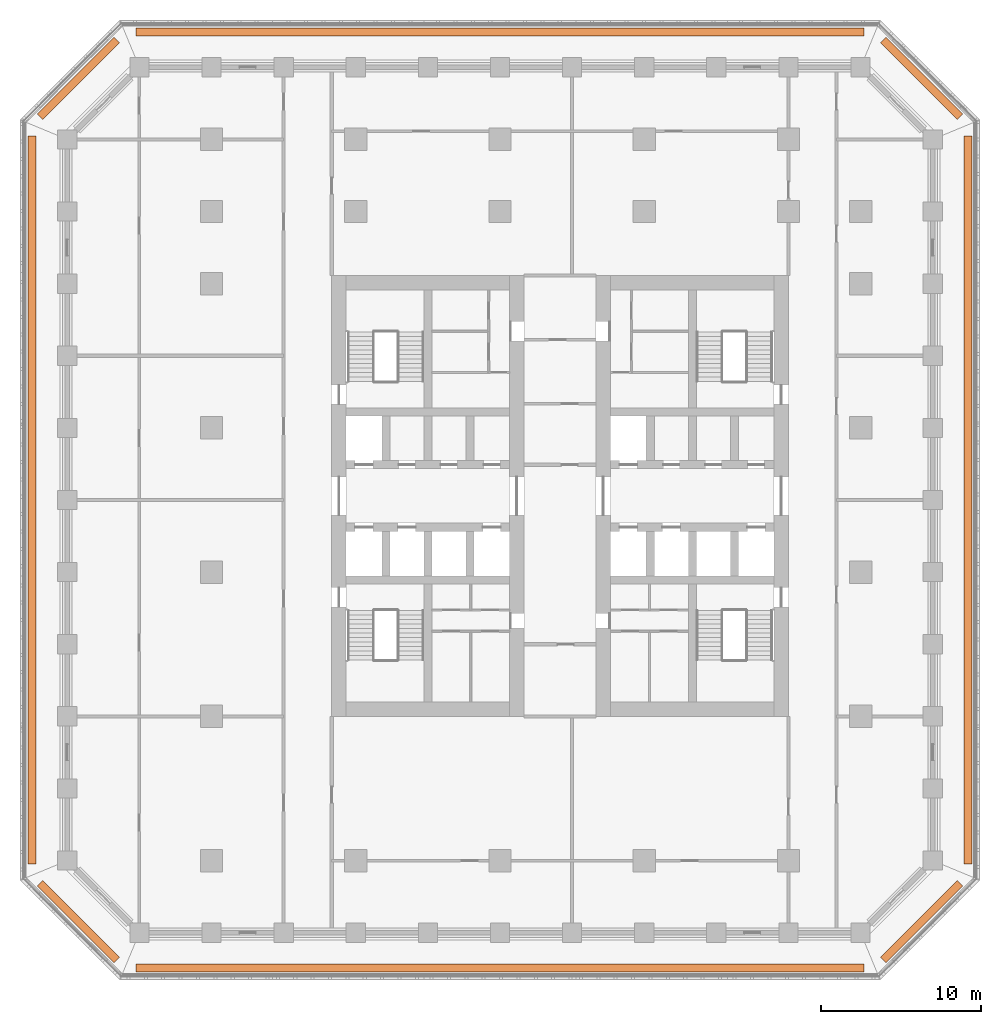
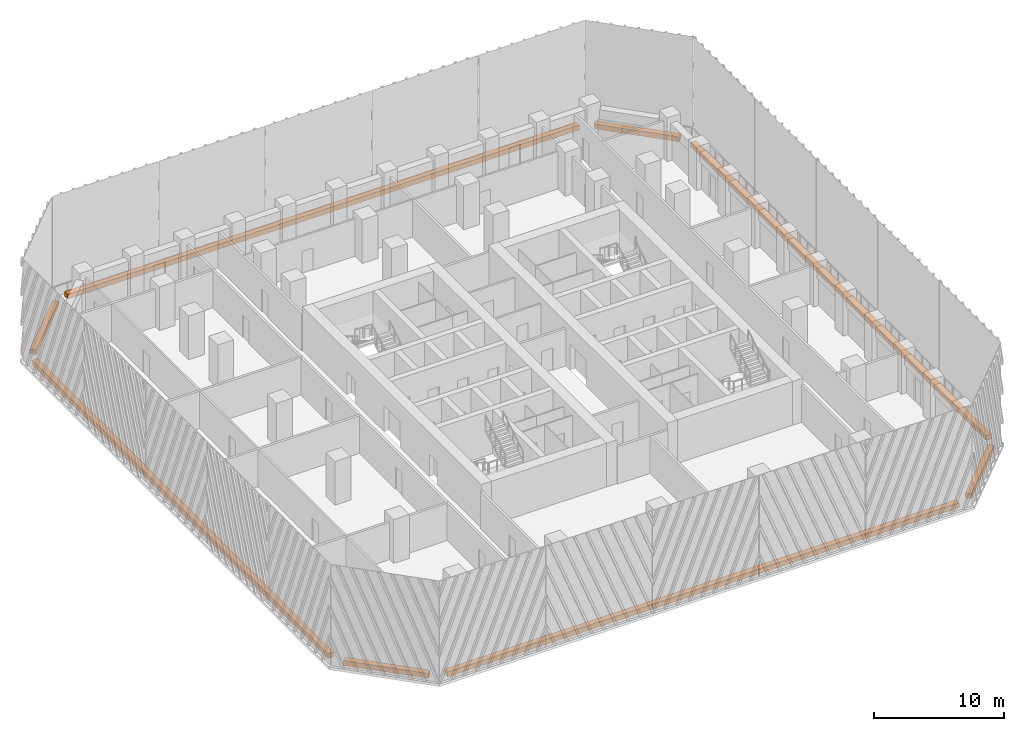
# One storey, part 17 of 17: 8 proxies.
"""IFC4 building model written with IfcOpenShell, lengths in metres."""

import ifcopenshell
import ifcopenshell.guid

model = None  # the IFC model being written
_history = None  # IfcOwnerHistory: only IFC2X3 demands one
_inside = {}  # id of a spatial element -> (the spatial element, [elements in it])
_under = {}  # id of a project, library or spatial element -> (it, [spatial elements below it])
_declared = {}  # id of a project -> (the project, [libraries it declares])
_typed = {}  # id of a type object -> (the type object, [elements of that type])
_made_of = {}  # id of a material, layer set ... -> (it, [elements and type objects made of it])


def new_model(schema):
    """Start an empty IFC model of exactly this schema.

    Asked for "IFC4X3", IfcOpenShell would pick the latest addendum, in which some entities
    have other attributes; the version numbers below select the first issue.
    IFC2X3 requires an IfcOwnerHistory on every rooted entity: one is made here for all.
    """
    global model, _history
    if schema == "IFC4X3":
        model = ifcopenshell.file(schema_version=(4, 3, 0, 0))
    else:
        model = ifcopenshell.file(schema=schema)
    _inside.clear()
    _under.clear()
    _declared.clear()
    _typed.clear()
    _made_of.clear()
    _history = None
    if model.schema == "IFC2X3":
        org = make("IfcOrganization", Name="unknown")
        user = make(
            "IfcPersonAndOrganization",
            ThePerson=make("IfcPerson", FamilyName="unknown"),
            TheOrganization=org,
        )
        app = make(
            "IfcApplication",
            ApplicationDeveloper=org,
            Version="unknown",
            ApplicationFullName="unknown",
            ApplicationIdentifier="unknown",
        )
        _history = make(
            "IfcOwnerHistory",
            OwningUser=user,
            OwningApplication=app,
            ChangeAction="ADDED",
            CreationDate=0,
        )
    return model


def make(cls, **values):
    """One entity of the class cls with the attributes given. An attribute that is None is left unset."""
    return model.create_entity(
        cls, **{name: value for name, value in values.items() if value is not None}
    )


def rooted(cls, **values):
    """An entity with a GlobalId (a new one), such as an element, a storey or a relation."""
    return make(cls, GlobalId=ifcopenshell.guid.new(), OwnerHistory=_history, **values)


def si_unit(unit_type, name, prefix=None):
    """IfcSIUnit, for example si_unit("LENGTHUNIT", "METRE", prefix="MILLI")."""
    return make("IfcSIUnit", UnitType=unit_type, Prefix=prefix, Name=name)


def assignment(units):
    """IfcUnitAssignment: the units of a project."""
    return None if units is None else make("IfcUnitAssignment", Units=units)


def point(xyz):
    """IfcCartesianPoint."""
    return None if xyz is None else make("IfcCartesianPoint", Coordinates=xyz)


def direction(xyz):
    """IfcDirection."""
    return None if xyz is None else make("IfcDirection", DirectionRatios=xyz)


def frame(location, z_axis=None, x_axis=None):
    """IfcAxis2Placement3D, a coordinate frame: its origin and axes. An axis left out is left unset."""
    return make(
        "IfcAxis2Placement3D",
        Location=point(location),
        Axis=direction(z_axis),
        RefDirection=direction(x_axis),
    )


def frame_2d(location, x_axis=None):
    """IfcAxis2Placement2D, a coordinate frame in the plane: its origin and x axis."""
    return make(
        "IfcAxis2Placement2D", Location=point(location), RefDirection=direction(x_axis)
    )


def origin():
    """The frame at (0, 0, 0) with its axes left unset."""
    return frame((0.0, 0.0, 0.0))


def origin_2d():
    """The frame at (0, 0) in the plane with its x axis left unset."""
    return frame_2d((0.0, 0.0))


def place(relative_to, where):
    """IfcLocalPlacement: puts the frame where relative to a parent placement (None: the world)."""
    return make(
        "IfcLocalPlacement", PlacementRelTo=relative_to, RelativePlacement=where
    )


def context(
    kind, dimensions, precision=None, world=None, true_north=None, identifier=None
):
    """IfcGeometricRepresentationContext, for example the 3D "Model" context."""
    return make(
        "IfcGeometricRepresentationContext",
        ContextIdentifier=identifier,
        ContextType=kind,
        CoordinateSpaceDimension=dimensions,
        Precision=precision,
        WorldCoordinateSystem=world,
        TrueNorth=true_north,
    )


def subcontext(parent, identifier, kind, view, scale=None):
    """IfcGeometricRepresentationSubContext, for example "Body" below "Model"."""
    return make(
        "IfcGeometricRepresentationSubContext",
        ContextIdentifier=identifier,
        ContextType=kind,
        ParentContext=parent,
        TargetScale=scale,
        TargetView=view,
    )


def project(units=None, contexts=None):
    """IfcProject with its units and contexts."""
    return rooted(
        "IfcProject",
        Name="project",
        RepresentationContexts=contexts,
        UnitsInContext=assignment(units),
    )


def spatial(cls, under=None, at=None, **own):
    """A site, building, storey or space (cls), placed at a placement, below another one or the project."""
    s = rooted(cls, ObjectPlacement=at, **own)
    if under is not None:
        _under.setdefault(under.id(), (under, []))[1].append(s)
    return s


def profile(cls, at=None, kind="AREA", **sizes):
    """A parametric profile (cls). Its sizes go by their IFC names, for example OverallWidth=200.0."""
    return make(cls, ProfileType=kind, Position=at, **sizes)


def rectangle(**sizes):
    """IfcRectangleProfileDef."""
    return profile("IfcRectangleProfileDef", **sizes)


def extrude(swept, where, along, depth):
    """IfcExtrudedAreaSolid: the profile swept, set in the frame where, extruded along a direction by depth."""
    return make(
        "IfcExtrudedAreaSolid",
        SweptArea=swept,
        Position=where,
        ExtrudedDirection=direction(along),
        Depth=depth,
    )


def shape(context_of_items, identifier, shape_type, items):
    """IfcShapeRepresentation: the items that make up one representation, for example the "Body"."""
    return make(
        "IfcShapeRepresentation",
        ContextOfItems=context_of_items,
        RepresentationIdentifier=identifier,
        RepresentationType=shape_type,
        Items=items,
    )


def material(Name=None, Category=None):
    """IfcMaterial."""
    return make("IfcMaterial", Name=Name, Category=Category)


def made_of(thing, what):
    """Note that an element or type object is made of a material, layer set ...; save() writes the relation."""
    if what is not None:
        _made_of.setdefault(what.id(), (what, []))[1].append(thing)
    return thing


def type_object(cls, material=None, **own):
    """A type object (cls), such as IfcWallType, which elements share."""
    return made_of(rooted(cls, **own), material)


def element(
    cls,
    number,
    at=None,
    inside=None,
    cuts=None,
    type_object=None,
    material=None,
    context=None,
    identifier="Body",
    shape_type=None,
    held_by="IfcProductDefinitionShape",
    body=None,
    shapes=None,
    **own,
):
    """One element of the class cls, such as IfcWall. Its Tag is "e" and its number.

    at: its placement. inside: the storey or other place that contains it. cuts: it is an
    opening in that element (IfcRelVoidsElement). A single representation is given by context,
    identifier, shape_type and body (its items); several are given by shapes. held_by: the class
    of the entity that holds the representations. save() writes the other relations.
    """
    e = rooted(cls, Tag="e%d" % number, ObjectPlacement=at, **own)
    if body is not None:
        shapes = [shape(context, identifier, shape_type, body)]
    if shapes is not None:
        e.Representation = make(held_by, Representations=shapes)
    if inside is not None:
        _inside.setdefault(inside.id(), (inside, []))[1].append(e)
    if cuts is not None:
        rooted(
            "IfcRelVoidsElement", RelatingBuildingElement=cuts, RelatedOpeningElement=e
        )
    if type_object is not None:
        _typed.setdefault(type_object.id(), (type_object, []))[1].append(e)
    return made_of(e, material)


def aggregate(whole, parts):
    """IfcRelAggregates: a whole, such as a stair, and the parts it consists of."""
    return rooted("IfcRelAggregates", RelatingObject=whole, RelatedObjects=parts)


def save(model, path):
    """Write the relations noted so far, then the file.

    IfcRelAggregates (storeys below a building ...), IfcRelContainedInSpatialStructure (elements
    in a storey), IfcRelDefinesByType, IfcRelAssociatesMaterial and IfcRelDeclares: one each for
    every whole, place, type object, material and project.
    """
    for whole, parts in _under.values():
        aggregate(whole, parts)
    for where, things in _inside.values():
        rooted(
            "IfcRelContainedInSpatialStructure",
            RelatedElements=things,
            RelatingStructure=where,
        )
    for kind, things in _typed.values():
        rooted("IfcRelDefinesByType", RelatedObjects=things, RelatingType=kind)
    for what, things in _made_of.values():
        rooted("IfcRelAssociatesMaterial", RelatedObjects=things, RelatingMaterial=what)
    for by, libraries in _declared.values():
        rooted("IfcRelDeclares", RelatingContext=by, RelatedDefinitions=libraries)
    model.write(path)


model = new_model("IFC4")

# Units and contexts
model_context = context("Model", 3, precision=1e-05, world=origin(), true_north=direction((0.0, 1.0)))
body_context = subcontext(model_context, "Body", "Model", "MODEL_VIEW")
ifc_project = project(units=[si_unit("LENGTHUNIT", "METRE"), si_unit("AREAUNIT", "SQUARE_METRE"), si_unit("VOLUMEUNIT", "CUBIC_METRE"), si_unit("PLANEANGLEUNIT", "RADIAN"), si_unit("MASSUNIT", "GRAM", prefix="KILO")], contexts=[model_context])

# Site, building, storey
site_placement = place(None, origin())
site = spatial("IfcSite", under=ifc_project, at=site_placement, CompositionType="ELEMENT")
building_placement = place(site_placement, origin())
building = spatial("IfcBuilding", under=site, at=building_placement, Name="Corbel Stack Research Tower", CompositionType="ELEMENT")
storey_placement = place(building_placement, frame((0.0, 0.0, 141.300048828125)))
storey = spatial("IfcBuildingStorey", under=building, at=storey_placement, Name="L32", CompositionType="ELEMENT", Elevation=141.300048828125)

# Proxies
ifc_material = material(Name="Concrete C45/55", Category="concrete")
building_element_proxy_type = type_object("IfcBuildingElementProxyType", Name="Planter box", PredefinedType="USERDEFINED", material=ifc_material)
proxy_1_placement = place(storey_placement, frame((0.0, -24.699951171875, 0.0), z_axis=(0.0, 0.0, 1.0), x_axis=(1.0, 0.0, 0.0)))
element("IfcBuildingElementProxy", 1, at=proxy_1_placement, inside=storey, type_object=building_element_proxy_type, Name="Planter L32 S", ObjectType="PLANTER", PredefinedType="USERDEFINED", context=body_context, shape_type="SweptSolid", body=[
    extrude(rectangle(XDim=45.41064453125, YDim=0.5, at=origin_2d()), origin(), (0.0, 0.0, 1.0), 0.449951171875),
])
proxy_2_placement = place(storey_placement, frame((26.3056640625, -21.8056640625, 0.0), z_axis=(0.0, 0.0, 1.0), x_axis=(0.707106781187, 0.707106781187, 0.0)))
element("IfcBuildingElementProxy", 2, at=proxy_2_placement, inside=storey, type_object=building_element_proxy_type, Name="Planter L32 SE", ObjectType="PLANTER", PredefinedType="USERDEFINED", context=body_context, shape_type="SweptSolid", body=[
    extrude(rectangle(XDim=6.774658203125, YDim=0.5, at=origin_2d()), origin(), (0.0, 0.0, 1.0), 0.449951171875),
])
proxy_3_placement = place(storey_placement, frame((29.199951171875, 4.5, 0.0), z_axis=(0.0, 0.0, 1.0), x_axis=(0.0, 1.0, 0.0)))
element("IfcBuildingElementProxy", 3, at=proxy_3_placement, inside=storey, type_object=building_element_proxy_type, Name="Planter L32 E", ObjectType="PLANTER", PredefinedType="USERDEFINED", context=body_context, shape_type="SweptSolid", body=[
    extrude(rectangle(XDim=45.41064453125, YDim=0.5, at=origin_2d()), origin(), (0.0, 0.0, 1.0), 0.449951171875),
])
proxy_4_placement = place(storey_placement, frame((26.3056640625, 30.8056640625, 0.0), z_axis=(0.0, 0.0, 1.0), x_axis=(-0.707106781187, 0.707106781187, 0.0)))
element("IfcBuildingElementProxy", 4, at=proxy_4_placement, inside=storey, type_object=building_element_proxy_type, Name="Planter L32 NE", ObjectType="PLANTER", PredefinedType="USERDEFINED", context=body_context, shape_type="SweptSolid", body=[
    extrude(rectangle(XDim=6.774658203125, YDim=0.5, at=origin_2d()), origin(), (0.0, 0.0, 1.0), 0.449951171875),
])
proxy_5_placement = place(storey_placement, frame((0.0, 33.699951171875, 0.0), z_axis=(0.0, 0.0, 1.0), x_axis=(-1.0, 0.0, 0.0)))
element("IfcBuildingElementProxy", 5, at=proxy_5_placement, inside=storey, type_object=building_element_proxy_type, Name="Planter L32 N", ObjectType="PLANTER", PredefinedType="USERDEFINED", context=body_context, shape_type="SweptSolid", body=[
    extrude(rectangle(XDim=45.41064453125, YDim=0.5, at=origin_2d()), origin(), (0.0, 0.0, 1.0), 0.449951171875),
])
proxy_6_placement = place(storey_placement, frame((-26.3056640625, 30.8056640625, 0.0), z_axis=(0.0, 0.0, 1.0), x_axis=(-0.707106781187, -0.707106781187, 0.0)))
element("IfcBuildingElementProxy", 6, at=proxy_6_placement, inside=storey, type_object=building_element_proxy_type, Name="Planter L32 NW", ObjectType="PLANTER", PredefinedType="USERDEFINED", context=body_context, shape_type="SweptSolid", body=[
    extrude(rectangle(XDim=6.774658203125, YDim=0.5, at=origin_2d()), origin(), (0.0, 0.0, 1.0), 0.449951171875),
])
proxy_7_placement = place(storey_placement, frame((-29.199951171875, 4.5, 0.0), z_axis=(0.0, 0.0, 1.0), x_axis=(0.0, -1.0, 0.0)))
element("IfcBuildingElementProxy", 7, at=proxy_7_placement, inside=storey, type_object=building_element_proxy_type, Name="Planter L32 W", ObjectType="PLANTER", PredefinedType="USERDEFINED", context=body_context, shape_type="SweptSolid", body=[
    extrude(rectangle(XDim=45.41064453125, YDim=0.5, at=origin_2d()), origin(), (0.0, 0.0, 1.0), 0.449951171875),
])
proxy_8_placement = place(storey_placement, frame((-26.3056640625, -21.8056640625, 0.0), z_axis=(0.0, 0.0, 1.0), x_axis=(0.707106781187, -0.707106781187, 0.0)))
element("IfcBuildingElementProxy", 8, at=proxy_8_placement, inside=storey, type_object=building_element_proxy_type, Name="Planter L32 SW", ObjectType="PLANTER", PredefinedType="USERDEFINED", context=body_context, shape_type="SweptSolid", body=[
    extrude(rectangle(XDim=6.774658203125, YDim=0.5, at=origin_2d()), origin(), (0.0, 0.0, 1.0), 0.449951171875),
])

save(model, "model.ifc")
